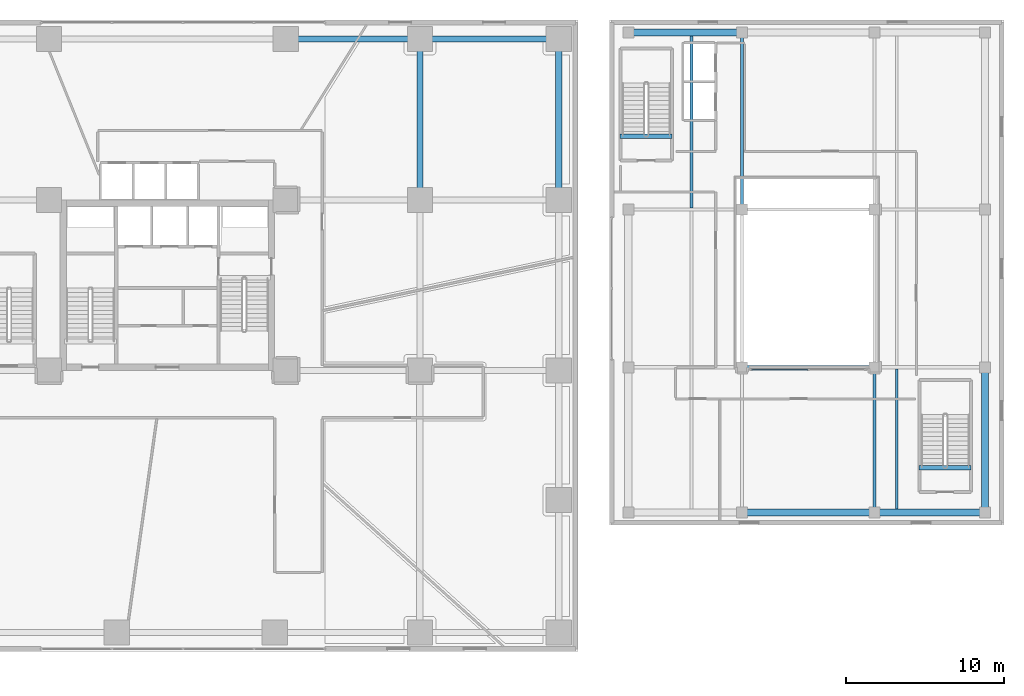
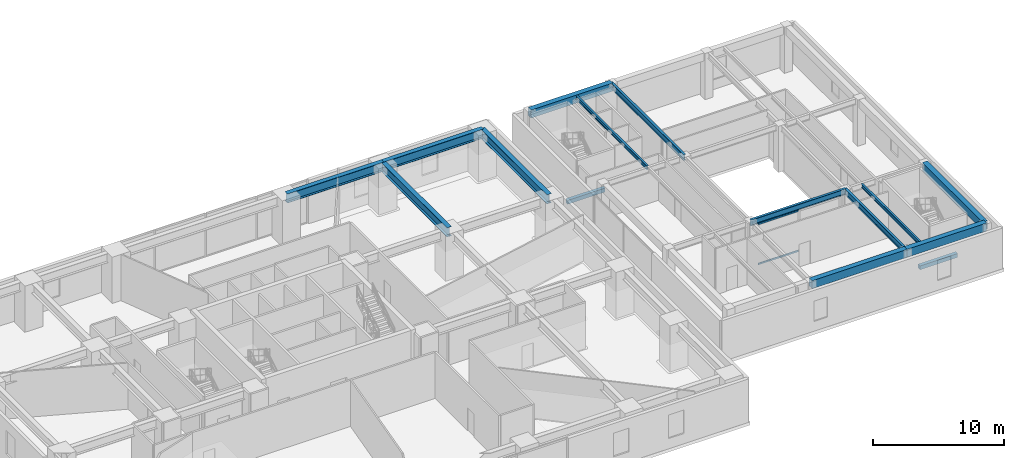
# One storey, part 13 of 24: 15 beams, 2 members, 1 element without a shape of its own.
"""IFC4 building model written with IfcOpenShell, lengths in metres."""

import ifcopenshell
import ifcopenshell.guid

model = None  # the IFC model being written
_history = None  # IfcOwnerHistory: only IFC2X3 demands one
_inside = {}  # id of a spatial element -> (the spatial element, [elements in it])
_under = {}  # id of a project, library or spatial element -> (it, [spatial elements below it])
_declared = {}  # id of a project -> (the project, [libraries it declares])
_typed = {}  # id of a type object -> (the type object, [elements of that type])
_made_of = {}  # id of a material, layer set ... -> (it, [elements and type objects made of it])


def new_model(schema):
    """Start an empty IFC model of exactly this schema.

    Asked for "IFC4X3", IfcOpenShell would pick the latest addendum, in which some entities
    have other attributes; the version numbers below select the first issue.
    IFC2X3 requires an IfcOwnerHistory on every rooted entity: one is made here for all.
    """
    global model, _history
    if schema == "IFC4X3":
        model = ifcopenshell.file(schema_version=(4, 3, 0, 0))
    else:
        model = ifcopenshell.file(schema=schema)
    _inside.clear()
    _under.clear()
    _declared.clear()
    _typed.clear()
    _made_of.clear()
    _history = None
    if model.schema == "IFC2X3":
        org = make("IfcOrganization", Name="unknown")
        user = make(
            "IfcPersonAndOrganization",
            ThePerson=make("IfcPerson", FamilyName="unknown"),
            TheOrganization=org,
        )
        app = make(
            "IfcApplication",
            ApplicationDeveloper=org,
            Version="unknown",
            ApplicationFullName="unknown",
            ApplicationIdentifier="unknown",
        )
        _history = make(
            "IfcOwnerHistory",
            OwningUser=user,
            OwningApplication=app,
            ChangeAction="ADDED",
            CreationDate=0,
        )
    return model


def make(cls, **values):
    """One entity of the class cls with the attributes given. An attribute that is None is left unset."""
    return model.create_entity(
        cls, **{name: value for name, value in values.items() if value is not None}
    )


def rooted(cls, **values):
    """An entity with a GlobalId (a new one), such as an element, a storey or a relation."""
    return make(cls, GlobalId=ifcopenshell.guid.new(), OwnerHistory=_history, **values)


def si_unit(unit_type, name, prefix=None):
    """IfcSIUnit, for example si_unit("LENGTHUNIT", "METRE", prefix="MILLI")."""
    return make("IfcSIUnit", UnitType=unit_type, Prefix=prefix, Name=name)


def assignment(units):
    """IfcUnitAssignment: the units of a project."""
    return None if units is None else make("IfcUnitAssignment", Units=units)


def point(xyz):
    """IfcCartesianPoint."""
    return None if xyz is None else make("IfcCartesianPoint", Coordinates=xyz)


def direction(xyz):
    """IfcDirection."""
    return None if xyz is None else make("IfcDirection", DirectionRatios=xyz)


def frame(location, z_axis=None, x_axis=None):
    """IfcAxis2Placement3D, a coordinate frame: its origin and axes. An axis left out is left unset."""
    return make(
        "IfcAxis2Placement3D",
        Location=point(location),
        Axis=direction(z_axis),
        RefDirection=direction(x_axis),
    )


def frame_2d(location, x_axis=None):
    """IfcAxis2Placement2D, a coordinate frame in the plane: its origin and x axis."""
    return make(
        "IfcAxis2Placement2D", Location=point(location), RefDirection=direction(x_axis)
    )


def origin():
    """The frame at (0, 0, 0) with its axes left unset."""
    return frame((0.0, 0.0, 0.0))


def origin_2d():
    """The frame at (0, 0) in the plane with its x axis left unset."""
    return frame_2d((0.0, 0.0))


def place(relative_to, where):
    """IfcLocalPlacement: puts the frame where relative to a parent placement (None: the world)."""
    return make(
        "IfcLocalPlacement", PlacementRelTo=relative_to, RelativePlacement=where
    )


def context(
    kind, dimensions, precision=None, world=None, true_north=None, identifier=None
):
    """IfcGeometricRepresentationContext, for example the 3D "Model" context."""
    return make(
        "IfcGeometricRepresentationContext",
        ContextIdentifier=identifier,
        ContextType=kind,
        CoordinateSpaceDimension=dimensions,
        Precision=precision,
        WorldCoordinateSystem=world,
        TrueNorth=true_north,
    )


def subcontext(parent, identifier, kind, view, scale=None):
    """IfcGeometricRepresentationSubContext, for example "Body" below "Model"."""
    return make(
        "IfcGeometricRepresentationSubContext",
        ContextIdentifier=identifier,
        ContextType=kind,
        ParentContext=parent,
        TargetScale=scale,
        TargetView=view,
    )


def project(units=None, contexts=None):
    """IfcProject with its units and contexts."""
    return rooted(
        "IfcProject",
        Name="project",
        RepresentationContexts=contexts,
        UnitsInContext=assignment(units),
    )


def spatial(cls, under=None, at=None, **own):
    """A site, building, storey or space (cls), placed at a placement, below another one or the project."""
    s = rooted(cls, ObjectPlacement=at, **own)
    if under is not None:
        _under.setdefault(under.id(), (under, []))[1].append(s)
    return s


def profile(cls, at=None, kind="AREA", **sizes):
    """A parametric profile (cls). Its sizes go by their IFC names, for example OverallWidth=200.0."""
    return make(cls, ProfileType=kind, Position=at, **sizes)


def rectangle(**sizes):
    """IfcRectangleProfileDef."""
    return profile("IfcRectangleProfileDef", **sizes)


def hollow_rectangle(**sizes):
    """IfcRectangleHollowProfileDef."""
    return profile("IfcRectangleHollowProfileDef", **sizes)


def i_section(**sizes):
    """IfcIShapeProfileDef."""
    return profile("IfcIShapeProfileDef", **sizes)


def extrude(swept, where, along, depth):
    """IfcExtrudedAreaSolid: the profile swept, set in the frame where, extruded along a direction by depth."""
    return make(
        "IfcExtrudedAreaSolid",
        SweptArea=swept,
        Position=where,
        ExtrudedDirection=direction(along),
        Depth=depth,
    )


def shape(context_of_items, identifier, shape_type, items):
    """IfcShapeRepresentation: the items that make up one representation, for example the "Body"."""
    return make(
        "IfcShapeRepresentation",
        ContextOfItems=context_of_items,
        RepresentationIdentifier=identifier,
        RepresentationType=shape_type,
        Items=items,
    )


def source(mapping_origin, context_of_items, identifier, shape_type, items):
    """IfcRepresentationMap: a shape defined once, which mapped items show again and again."""
    return make(
        "IfcRepresentationMap",
        MappingOrigin=mapping_origin,
        MappedRepresentation=shape(context_of_items, identifier, shape_type, items),
    )


def transform(
    local_origin,
    x_axis=None,
    y_axis=None,
    z_axis=None,
    scale=None,
    scale2=None,
    scale3=None,
    uniform=True,
):
    """IfcCartesianTransformationOperator3D, or its non-uniform kind. x_axis, y_axis, z_axis: its Axis1, 2, 3."""
    if uniform:
        return make(
            "IfcCartesianTransformationOperator3D",
            Axis1=direction(x_axis),
            Axis2=direction(y_axis),
            LocalOrigin=point(local_origin),
            Scale=scale,
            Axis3=direction(z_axis),
        )
    return make(
        "IfcCartesianTransformationOperator3DnonUniform",
        Axis1=direction(x_axis),
        Axis2=direction(y_axis),
        LocalOrigin=point(local_origin),
        Scale=scale,
        Axis3=direction(z_axis),
        Scale2=scale2,
        Scale3=scale3,
    )


def mapped(mapping_source, mapping_target):
    """IfcMappedItem: shows the shape of a source again, moved by a transform."""
    return make(
        "IfcMappedItem", MappingSource=mapping_source, MappingTarget=mapping_target
    )


def material(Name=None, Category=None):
    """IfcMaterial."""
    return make("IfcMaterial", Name=Name, Category=Category)


def layer(
    of_material, thickness, ventilated=None, Name=None, Category=None, Priority=None
):
    """IfcMaterialLayer: one layer of a wall or slab, of a material (None: an air gap)."""
    return make(
        "IfcMaterialLayer",
        Material=of_material,
        LayerThickness=thickness,
        IsVentilated=ventilated,
        Name=Name,
        Category=Category,
        Priority=Priority,
    )


def layer_set(layers, Name=None):
    """IfcMaterialLayerSet."""
    return make("IfcMaterialLayerSet", MaterialLayers=layers, LayerSetName=Name)


def material_profile(
    of_material, cross_section, Name=None, Category=None, Priority=None
):
    """IfcMaterialProfile: a cross section and its material."""
    return make(
        "IfcMaterialProfile",
        Name=Name,
        Material=of_material,
        Profile=cross_section,
        Priority=Priority,
        Category=Category,
    )


def profile_set(profiles, Name=None, composite=None):
    """IfcMaterialProfileSet."""
    return make(
        "IfcMaterialProfileSet",
        Name=Name,
        MaterialProfiles=profiles,
        CompositeProfile=composite,
    )


def made_of(thing, what):
    """Note that an element or type object is made of a material, layer set ...; save() writes the relation."""
    if what is not None:
        _made_of.setdefault(what.id(), (what, []))[1].append(thing)
    return thing


def type_object(cls, material=None, **own):
    """A type object (cls), such as IfcWallType, which elements share."""
    return made_of(rooted(cls, **own), material)


def type_shapes(of_type, sources):
    """Give a type object the sources (RepresentationMaps) that its elements show as mapped items."""
    of_type.RepresentationMaps = sources


def element(
    cls,
    number,
    at=None,
    inside=None,
    cuts=None,
    type_object=None,
    material=None,
    context=None,
    identifier="Body",
    shape_type=None,
    held_by="IfcProductDefinitionShape",
    body=None,
    shapes=None,
    **own,
):
    """One element of the class cls, such as IfcWall. Its Tag is "e" and its number.

    at: its placement. inside: the storey or other place that contains it. cuts: it is an
    opening in that element (IfcRelVoidsElement). A single representation is given by context,
    identifier, shape_type and body (its items); several are given by shapes. held_by: the class
    of the entity that holds the representations. save() writes the other relations.
    """
    e = rooted(cls, Tag="e%d" % number, ObjectPlacement=at, **own)
    if body is not None:
        shapes = [shape(context, identifier, shape_type, body)]
    if shapes is not None:
        e.Representation = make(held_by, Representations=shapes)
    if inside is not None:
        _inside.setdefault(inside.id(), (inside, []))[1].append(e)
    if cuts is not None:
        rooted(
            "IfcRelVoidsElement", RelatingBuildingElement=cuts, RelatedOpeningElement=e
        )
    if type_object is not None:
        _typed.setdefault(type_object.id(), (type_object, []))[1].append(e)
    return made_of(e, material)


def aggregate(whole, parts):
    """IfcRelAggregates: a whole, such as a stair, and the parts it consists of."""
    return rooted("IfcRelAggregates", RelatingObject=whole, RelatedObjects=parts)


def save(model, path):
    """Write the relations noted so far, then the file.

    IfcRelAggregates (storeys below a building ...), IfcRelContainedInSpatialStructure (elements
    in a storey), IfcRelDefinesByType, IfcRelAssociatesMaterial and IfcRelDeclares: one each for
    every whole, place, type object, material and project.
    """
    for whole, parts in _under.values():
        aggregate(whole, parts)
    for where, things in _inside.values():
        rooted(
            "IfcRelContainedInSpatialStructure",
            RelatedElements=things,
            RelatingStructure=where,
        )
    for kind, things in _typed.values():
        rooted("IfcRelDefinesByType", RelatedObjects=things, RelatingType=kind)
    for what, things in _made_of.values():
        rooted("IfcRelAssociatesMaterial", RelatedObjects=things, RelatingMaterial=what)
    for by, libraries in _declared.values():
        rooted("IfcRelDeclares", RelatingContext=by, RelatedDefinitions=libraries)
    model.write(path)


model = new_model("IFC4")

# Units and contexts
model_context = context("Model", 3, precision=1e-05, world=origin(), true_north=direction((0.0, 1.0)))
body_context = subcontext(model_context, "Body", "Model", "MODEL_VIEW")
ifc_project = project(units=[si_unit("LENGTHUNIT", "METRE"), si_unit("AREAUNIT", "SQUARE_METRE"), si_unit("VOLUMEUNIT", "CUBIC_METRE"), si_unit("PLANEANGLEUNIT", "RADIAN"), si_unit("MASSUNIT", "GRAM", prefix="KILO")], contexts=[model_context])

# Site, building, storey
site_placement = place(None, origin())
site = spatial("IfcSite", under=ifc_project, at=site_placement, CompositionType="ELEMENT")
building_placement = place(site_placement, origin())
building = spatial("IfcBuilding", under=site, at=building_placement, Name="Talar Marvaseh", CompositionType="ELEMENT")
storey_placement = place(building_placement, frame((0.0, 0.0, 9.800048828125)))
storey = spatial("IfcBuildingStorey", under=building, at=storey_placement, Name="L02", CompositionType="ELEMENT", Elevation=9.800048828125)

# Beams
ifc_material_1 = material(Name="Steel S355", Category="steel")
ifc_material_profile_1 = material_profile(ifc_material_1, i_section(OverallWidth=0.39990234375, OverallDepth=0.85498046875, WebThickness=0.018310546875, FlangeThickness=0.029296875, at=origin_2d()), Name="W840x299")
ifc_profile_set_1 = profile_set([ifc_material_profile_1], Name="Steel S355")
beam_type_1 = type_object("IfcBeamType", Name="Concourse Primary Girder W840x299", PredefinedType="BEAM", material=ifc_profile_set_1)
beam_1_placement = place(storey_placement, frame((33.5, 46.800048828125, 3.87255859375), z_axis=(1.0, 0.0, 0.0), x_axis=(0.0, 1.0, 0.0)))
element("IfcBeam", 1, at=beam_1_placement, inside=storey, type_object=beam_type_1, Name="L02 Concourse Primary Girder W840x299", PredefinedType="BEAM", context=body_context, shape_type="SweptSolid", body=[
    extrude(i_section(OverallWidth=0.39990234375, OverallDepth=0.85498046875, WebThickness=0.018310546875, FlangeThickness=0.029296875, at=origin_2d()), origin(), (0.0, 0.0, 1.0), 8.5),
])
beam_2_placement = place(storey_placement, frame((42.0, 46.800048828125, 3.87255859375), z_axis=(1.0, 0.0, 0.0), x_axis=(0.0, 1.0, 0.0)))
element("IfcBeam", 2, at=beam_2_placement, inside=storey, type_object=beam_type_1, Name="L02 Concourse Primary Girder W840x299", PredefinedType="BEAM", context=body_context, shape_type="SweptSolid", body=[
    extrude(i_section(OverallWidth=0.39990234375, OverallDepth=0.85498046875, WebThickness=0.018310546875, FlangeThickness=0.029296875, at=origin_2d()), origin(), (0.0, 0.0, 1.0), 8.800048828125),
])
for number, where, z_axis, x_axis, name in (
    (3, (42.0, 36.60009765625, 3.87255859375), (0.0, 1.0, 0.0), (-1.0, 0.0, 0.0), "L02 Concourse Primary Girder W840x299"),
    (4, (50.800048828125, 36.60009765625, 3.87255859375), (0.0, 1.0, 0.0), (-1.0, 0.0, 0.0), "L02 Concourse Primary Girder W840x299"),
):
    element("IfcBeam", number, at=place(storey_placement, frame(where, z_axis=z_axis, x_axis=x_axis)), inside=storey, type_object=beam_type_1, Name=name, PredefinedType="BEAM", context=body_context, shape_type="SweptSolid", body=[
        extrude(i_section(OverallWidth=0.39990234375, OverallDepth=0.85498046875, WebThickness=0.018310546875, FlangeThickness=0.029296875, at=origin_2d()), origin(), (0.0, 0.0, 1.0), 10.199951171875),
    ])
ifc_material_2 = material(Name="Concrete C40/50", Category="concrete")
ifc_material_profile_2 = material_profile(ifc_material_2, rectangle(XDim=0.300048828125, YDim=0.360107421875, at=origin_2d()), Name="RC300x360")
ifc_profile_set_2 = profile_set([ifc_material_profile_2], Name="Concrete C40/50")
beam_type_2 = type_object("IfcBeamType", Name="Concrete Stair Landing Trimmer Beam RC300x360", PredefinedType="SPANDREL", material=ifc_profile_set_2)
beam_3_placement = place(storey_placement, frame((57.97998046875, 40.6298828125, -0.179931640625), z_axis=(-1.0, 0.0, 0.0), x_axis=(0.0, -1.0, 0.0)))
element("IfcBeam", 5, at=beam_3_placement, inside=storey, type_object=beam_type_2, Name="L02 MH-ST1 Stair Nosing Trimmer Beam", PredefinedType="SPANDREL", context=body_context, shape_type="SweptSolid", body=[
    extrude(rectangle(XDim=0.300048828125, YDim=0.360107421875, at=origin_2d()), origin(), (0.0, 0.0, 1.0), 3.300048828125),
])
beam_4_placement = place(storey_placement, frame((76.919921875, 19.6298828125, -0.179931640625), z_axis=(-1.0, 0.0, 0.0), x_axis=(0.0, -1.0, 0.0)))
element("IfcBeam", 6, at=beam_4_placement, inside=storey, type_object=beam_type_2, Name="L02 MH-ST2 Stair Nosing Trimmer Beam", PredefinedType="SPANDREL", context=body_context, shape_type="SweptSolid", body=[
    extrude(rectangle(XDim=0.300048828125, YDim=0.360107421875, at=origin_2d()), origin(), (0.0, 0.0, 1.0), 3.2998046875),
])
ifc_material_profile_3 = material_profile(ifc_material_2, rectangle(XDim=0.449951171875, YDim=0.75, at=origin_2d()), Name="RC450x750")
ifc_profile_set_3 = profile_set([ifc_material_profile_3], Name="Concrete C40/50")
beam_type_3 = type_object("IfcBeamType", Name="Market Concrete Edge Beam RC450x750", PredefinedType="SPANDREL", material=ifc_profile_set_3)
beam_5_placement = place(storey_placement, frame((62.39990234375, 16.800048828125, 3.925048828125), z_axis=(1.0, 0.0, 0.0), x_axis=(0.0, 1.0, 0.0)))
element("IfcBeam", 7, at=beam_5_placement, inside=storey, type_object=beam_type_3, Name="L02 Market Concrete Edge Beam RC450x750", PredefinedType="SPANDREL", context=body_context, shape_type="SweptSolid", body=[
    extrude(rectangle(XDim=0.449951171875, YDim=0.75, at=origin_2d()), origin(), (0.0, 0.0, 1.0), 8.400146484375),
])
beam_6_placement = place(storey_placement, frame((70.800048828125, 16.800048828125, 3.925048828125), z_axis=(1.0, 0.0, 0.0), x_axis=(0.0, 1.0, 0.0)))
element("IfcBeam", 8, at=beam_6_placement, inside=storey, type_object=beam_type_3, Name="L02 Market Concrete Edge Beam RC450x750", PredefinedType="SPANDREL", context=body_context, shape_type="SweptSolid", body=[
    extrude(rectangle(XDim=0.449951171875, YDim=0.75, at=origin_2d()), origin(), (0.0, 0.0, 1.0), 7.0),
])
beam_7_placement = place(storey_placement, frame((55.199951171875, 47.199951171875, 3.925048828125), z_axis=(1.0, 0.0, 0.0), x_axis=(0.0, 1.0, 0.0)))
element("IfcBeam", 9, at=beam_7_placement, inside=storey, type_object=beam_type_3, Name="L02 Market Concrete Edge Beam RC450x750", PredefinedType="SPANDREL", context=body_context, shape_type="SweptSolid", body=[
    extrude(rectangle(XDim=0.449951171875, YDim=0.75, at=origin_2d()), origin(), (0.0, 0.0, 1.0), 7.199951171875),
])
beam_8_placement = place(storey_placement, frame((77.800048828125, 16.800048828125, 3.925048828125), z_axis=(0.0, 1.0, 0.0), x_axis=(-1.0, 0.0, 0.0)))
element("IfcBeam", 10, at=beam_8_placement, inside=storey, type_object=beam_type_3, Name="L02 Market Concrete Edge Beam RC450x750", PredefinedType="SPANDREL", context=body_context, shape_type="SweptSolid", body=[
    extrude(rectangle(XDim=0.449951171875, YDim=0.75, at=origin_2d()), origin(), (0.0, 0.0, 1.0), 9.199951171875),
])
ifc_material_profile_4 = material_profile(ifc_material_1, i_section(OverallWidth=0.2119140625, OverallDepth=0.5439453125, WebThickness=0.01318359375, FlangeThickness=0.021240234375, at=origin_2d()), Name="W530x123")
ifc_profile_set_4 = profile_set([ifc_material_profile_4], Name="Steel S355")
beam_type_4 = type_object("IfcBeamType", Name="Market Hall Primary Girder W530x123", PredefinedType="BEAM", material=ifc_profile_set_4)
beam_9_placement = place(storey_placement, frame((62.39990234375, 26.0, 4.02783203125), z_axis=(1.0, 0.0, 0.0), x_axis=(0.0, 1.0, 0.0)))
element("IfcBeam", 11, at=beam_9_placement, inside=storey, type_object=beam_type_4, Name="L02 Market Hall Primary Girder W530x123", PredefinedType="BEAM", context=body_context, shape_type="SweptSolid", body=[
    extrude(i_section(OverallWidth=0.2119140625, OverallDepth=0.5439453125, WebThickness=0.01318359375, FlangeThickness=0.021240234375, at=origin_2d()), origin(), (0.0, 0.0, 1.0), 8.400146484375),
])
beam_10_placement = place(storey_placement, frame((62.39990234375, 36.0, 4.02783203125), z_axis=(0.0, 1.0, 0.0), x_axis=(-1.0, 0.0, 0.0)))
element("IfcBeam", 12, at=beam_10_placement, inside=storey, type_object=beam_type_4, Name="L02 Market Hall Primary Girder W530x123", PredefinedType="BEAM", context=body_context, shape_type="SweptSolid", body=[
    extrude(i_section(OverallWidth=0.2119140625, OverallDepth=0.5439453125, WebThickness=0.01318359375, FlangeThickness=0.021240234375, at=origin_2d()), origin(), (0.0, 0.0, 1.0), 11.199951171875),
])
beam_11_placement = place(storey_placement, frame((70.800048828125, 16.800048828125, 4.02783203125), z_axis=(0.0, 1.0, 0.0), x_axis=(-1.0, 0.0, 0.0)))
element("IfcBeam", 13, at=beam_11_placement, inside=storey, type_object=beam_type_4, Name="L02 Market Hall Primary Girder W530x123", PredefinedType="BEAM", context=body_context, shape_type="SweptSolid", body=[
    extrude(i_section(OverallWidth=0.2119140625, OverallDepth=0.5439453125, WebThickness=0.01318359375, FlangeThickness=0.021240234375, at=origin_2d()), origin(), (0.0, 0.0, 1.0), 9.199951171875),
])
ifc_material_profile_5 = material_profile(ifc_material_1, i_section(OverallWidth=0.172119140625, OverallDepth=0.35791015625, WebThickness=0.0078125, FlangeThickness=0.01318359375, at=origin_2d()), Name="W360x57")
ifc_profile_set_5 = profile_set([ifc_material_profile_5], Name="Steel S355")
beam_type_5 = type_object("IfcBeamType", Name="Zone 2 Secondary Floor Joist W360x57", PredefinedType="JOIST", material=ifc_profile_set_5)
beam_12_placement = place(storey_placement, frame((59.199951171875, 36.10498046875, 4.120849609375), z_axis=(0.0, 1.0, 0.0), x_axis=(-1.0, 0.0, 0.0)))
element("IfcBeam", 14, at=beam_12_placement, inside=storey, type_object=beam_type_5, Name="L02 Zone 2 Secondary Floor Joist W360x57", PredefinedType="JOIST", context=body_context, shape_type="SweptSolid", body=[
    extrude(i_section(OverallWidth=0.172119140625, OverallDepth=0.35791015625, WebThickness=0.0078125, FlangeThickness=0.01318359375, at=origin_2d()), origin(), (0.0, 0.0, 1.0), 10.875),
])
beam_13_placement = place(storey_placement, frame((72.199951171875, 17.02001953125, 4.120849609375), z_axis=(0.0, 1.0, 0.0), x_axis=(-1.0, 0.0, 0.0)))
element("IfcBeam", 15, at=beam_13_placement, inside=storey, type_object=beam_type_5, Name="L02 Zone 2 Secondary Floor Joist W360x57", PredefinedType="JOIST", context=body_context, shape_type="SweptSolid", body=[
    extrude(i_section(OverallWidth=0.172119140625, OverallDepth=0.35791015625, WebThickness=0.0078125, FlangeThickness=0.01318359375, at=origin_2d()), origin(), (0.0, 0.0, 1.0), 8.875),
])

# Curtain wall, members
ifc_material_3 = material(Name="Architectural Aluminium", Category="aluminium")
ifc_layer = layer(ifc_material_3, 0.169921875)
ifc_layer_set = layer_set([ifc_layer], Name="Architectural Aluminium")
curtain_wall_type = type_object("IfcCurtainWallType", Name="Market Hall Clerestory and Courtyard Curtain Wall", PredefinedType="NOTDEFINED", material=ifc_layer_set)
curtain_wall_placement = place(storey_placement, origin())
curtain_wall = element("IfcCurtainWall", 16, at=curtain_wall_placement, inside=storey, type_object=curtain_wall_type, Name="L02 Market Hall Clerestory and Courtyard Curtain Wall", PredefinedType="NOTDEFINED")
ifc_material_profile_6 = material_profile(ifc_material_3, hollow_rectangle(XDim=0.06494140625, YDim=0.14990234375, WallThickness=0.00390625, at=origin_2d()), Name="RHS150x65x4")
ifc_profile_set_6 = profile_set([ifc_material_profile_6], Name="Architectural Aluminium")
member_type = type_object("IfcMemberType", Name="Unitised Curtain Wall Slim Transom RHS150x65x4", PredefinedType="USERDEFINED", material=ifc_profile_set_6)
shared_shape = source(origin(), body_context, "Body", "SweptSolid", [
    extrude(hollow_rectangle(XDim=0.06494140625, YDim=0.14990234375, WallThickness=0.00390625, at=origin_2d()), origin(), (0.0, 0.0, 1.0), 3.552490234375),
])
type_shapes(member_type, [shared_shape])
member_1_placement = place(storey_placement, frame((63.014892578125, 25.85009765625, 0.032470703125), z_axis=(1.0, 0.0, 0.0), x_axis=(0.0, 1.0, 0.0)))
member_1 = element("IfcMember", 17, at=member_1_placement, type_object=member_type, Name="CW-MKT transom 1.1", ObjectType="TRANSOM", PredefinedType="USERDEFINED", context=body_context, shape_type="MappedRepresentation", body=[
    mapped(shared_shape, transform((0.0, 0.0, 0.0), x_axis=(1.0, 0.0, 0.0), y_axis=(0.0, 1.0, 0.0), z_axis=(0.0, 0.0, 1.0), scale=1.0)),
])
member_2_placement = place(storey_placement, frame((63.014892578125, 25.85009765625, 3.767333984375), z_axis=(1.0, 0.0, 0.0), x_axis=(0.0, 1.0, 0.0)))
member_2 = element("IfcMember", 18, at=member_2_placement, type_object=member_type, Name="CW-MKT transom 1.2", ObjectType="TRANSOM", PredefinedType="USERDEFINED", context=body_context, shape_type="MappedRepresentation", body=[
    mapped(shared_shape, transform((0.0, 0.0, 0.0), x_axis=(1.0, 0.0, 0.0), y_axis=(0.0, 1.0, 0.0), z_axis=(0.0, 0.0, 1.0), scale=1.0)),
])
aggregate(curtain_wall, [member_1, member_2])

save(model, "model.ifc")
